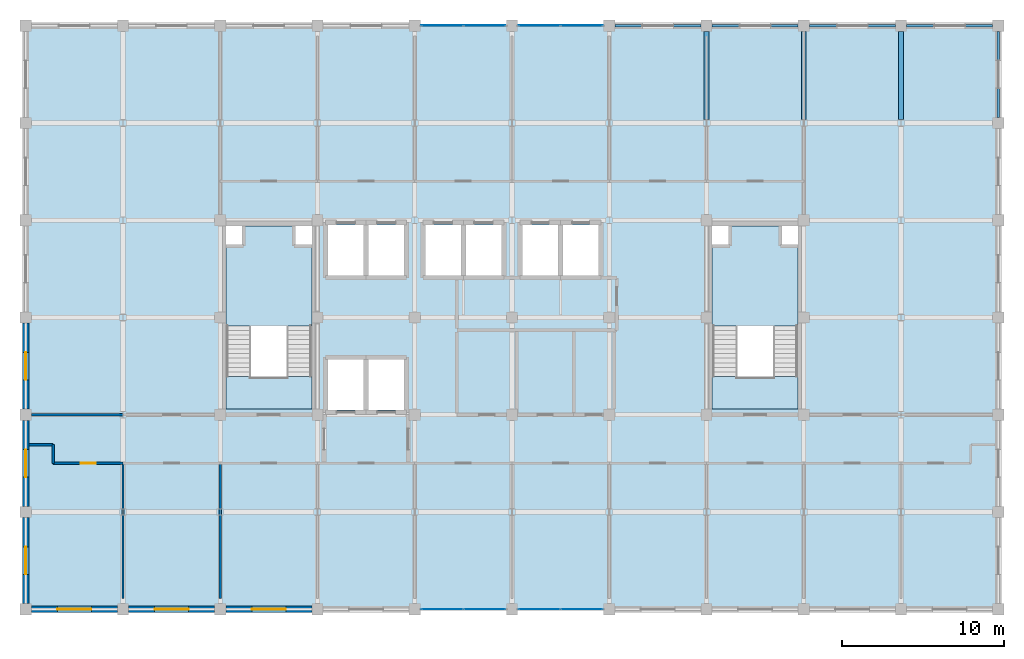
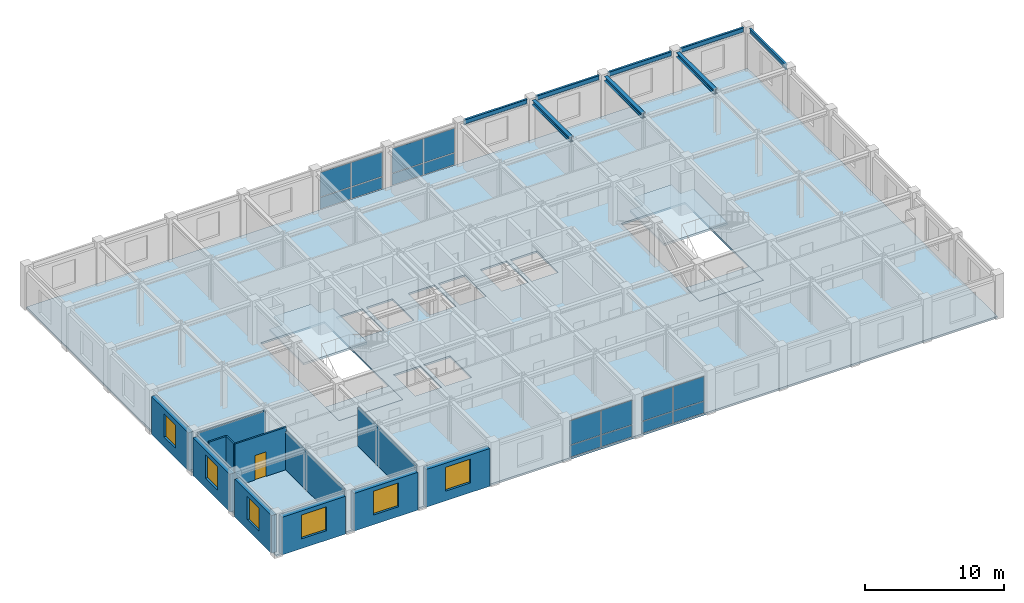
# One storey, part 9 of 14: 16 plates, 12 walls, 8 beams, 6 windows, 5 slabs, 1 door, 7 openings, 6 elements without a shape of their own.
"""IFC4 building model written with IfcOpenShell, lengths in metres."""

from ifc_helpers import new_model, si_unit, direction, frame, frame_2d, origin, origin_2d, place, context, subcontext, project, spatial, polyline, rectangle, i_section, outline, extrude, material, layer, layer_set, material_profile, profile_set, type_object, element, fill, aggregate, save


model = new_model("IFC4")

# Units and contexts
model_context = context("Model", 3, precision=1e-05, world=origin(), true_north=direction((0.0, 1.0)))
body_context = subcontext(model_context, "Body", "Model", "MODEL_VIEW")
ifc_project = project(units=[si_unit("LENGTHUNIT", "METRE"), si_unit("AREAUNIT", "SQUARE_METRE"), si_unit("VOLUMEUNIT", "CUBIC_METRE"), si_unit("PLANEANGLEUNIT", "RADIAN"), si_unit("MASSUNIT", "GRAM", prefix="KILO")], contexts=[model_context])

# Site, building, storey
site_placement = place(None, origin())
site = spatial("IfcSite", under=ifc_project, at=site_placement, CompositionType="ELEMENT")
building_placement = place(site_placement, origin())
building = spatial("IfcBuilding", under=site, at=building_placement, Name="Zlatovratsky Civic Hall", CompositionType="ELEMENT")
storey_placement = place(building_placement, frame((0.0, 0.0, 28.800048828125)))
storey = spatial("IfcBuildingStorey", under=building, at=storey_placement, Name="L07", CompositionType="ELEMENT", Elevation=28.800048828125)

# Beams
ifc_material_1 = material(Name="Steel S355", Category="steel")
ifc_material_profile_1 = material_profile(ifc_material_1, i_section(OverallWidth=0.169921875, OverallDepth=0.446044921875, WebThickness=0.007568359375, FlangeThickness=0.010986328125, FilletRadius=0.01611328125, at=origin_2d()), Name="45B1")
ifc_profile_set_1 = profile_set([ifc_material_profile_1], Name="Steel S355")
beam_type_1 = type_object("IfcBeamType", Name="Beam_Spandrel_45B1", PredefinedType="SPANDREL", material=ifc_profile_set_1)
for number, where, z_axis, x_axis, name in (
    (1, (90.35009765625, 108.0, 3.516845703125), (1.0, 0.0, 0.0), (0.0, 1.0, 0.0), "BM-4309"),
    (2, (96.35009765625, 108.0, 3.516845703125), (1.0, 0.0, 0.0), (0.0, 1.0, 0.0), "BM-4310"),
    (3, (102.35009765625, 108.0, 3.516845703125), (1.0, 0.0, 0.0), (0.0, 1.0, 0.0), "BM-4311"),
    (4, (108.35009765625, 108.0, 3.516845703125), (1.0, 0.0, 0.0), (0.0, 1.0, 0.0), "BM-4312"),
    (5, (114.0, 102.35009765625, 3.516845703125), (0.0, 1.0, 0.0), (-1.0, 0.0, 0.0), "BM-4378"),
):
    element("IfcBeam", number, at=place(storey_placement, frame(where, z_axis=z_axis, x_axis=x_axis)), inside=storey, type_object=beam_type_1, Name=name, PredefinedType="SPANDREL", context=body_context, shape_type="SweptSolid", body=[
        extrude(i_section(OverallWidth=0.169921875, OverallDepth=0.446044921875, WebThickness=0.007568359375, FlangeThickness=0.010986328125, FilletRadius=0.01611328125, at=origin_2d()), origin(), (0.0, 0.0, 1.0), 5.2998046875),
    ])
ifc_material_profile_2 = material_profile(ifc_material_1, i_section(OverallWidth=0.300048828125, OverallDepth=0.387939453125, WebThickness=0.009521484375, FlangeThickness=0.013916015625, FilletRadius=0.02197265625, at=origin_2d()), Name="40Sh1")
ifc_profile_set_2 = profile_set([ifc_material_profile_2], Name="Steel S355")
beam_type_2 = type_object("IfcBeamType", Name="Beam_TowerMid_40Sh1", PredefinedType="BEAM", material=ifc_profile_set_2)
for number, where, z_axis, x_axis, name in (
    (6, (96.0, 102.197021484375, 3.5458984375), (0.0, 1.0, 0.0), (-1.0, 0.0, 0.0), "BM-4360"),
    (7, (102.0, 102.197021484375, 3.5458984375), (0.0, 1.0, 0.0), (-1.0, 0.0, 0.0), "BM-4366"),
    (8, (108.0, 102.197021484375, 3.5458984375), (0.0, 1.0, 0.0), (-1.0, 0.0, 0.0), "BM-4372"),
):
    element("IfcBeam", number, at=place(storey_placement, frame(where, z_axis=z_axis, x_axis=x_axis)), inside=storey, type_object=beam_type_2, Name=name, PredefinedType="BEAM", context=body_context, shape_type="SweptSolid", body=[
        extrude(i_section(OverallWidth=0.300048828125, OverallDepth=0.387939453125, WebThickness=0.009521484375, FlangeThickness=0.013916015625, FilletRadius=0.02197265625, at=origin_2d()), origin(), (0.0, 0.0, 1.0), 5.452880859375),
    ])

# Curtain wall, plates
ifc_material_2 = material(Name="Anodised bronze aluminium", Category="aluminium")
ifc_layer_1 = layer(ifc_material_2, 0.159912109375)
ifc_layer_set_1 = layer_set([ifc_layer_1], Name="Anodised bronze aluminium")
curtain_wall_type = type_object("IfcCurtainWallType", Name="CurtainWall_Bronze_5300x3320_21", PredefinedType="NOTDEFINED", material=ifc_layer_set_1)
curtain_wall_1_placement = place(storey_placement, origin())
curtain_wall_1 = element("IfcCurtainWall", 9, at=curtain_wall_1_placement, inside=storey, type_object=curtain_wall_type, Name="CW-137", PredefinedType="NOTDEFINED")
ifc_material_3 = material(Name="Solar-control triple glazing", Category="glass")
ifc_layer_2 = layer(ifc_material_3, 0.028076171875)
ifc_layer_set_2 = layer_set([ifc_layer_2], Name="Solar-control triple glazing")
plate_type = type_object("IfcPlateType", Name="Panel_TowerTripleGlazing_28", PredefinedType="CURTAIN_PANEL", material=ifc_layer_set_2)
plate_1_placement = place(storey_placement, frame((79.68994140625, 72.0, 0.06005859375), z_axis=(0.0, 0.0, 1.0), x_axis=(1.0, 0.0, 0.0)))
plate_1 = element("IfcPlate", 10, at=plate_1_placement, type_object=plate_type, Name="CW-21 panel 1.1", PredefinedType="CURTAIN_PANEL", context=body_context, shape_type="SweptSolid", body=[
    extrude(rectangle(XDim=2.56005859375, YDim=0.028076171875, at=origin_2d()), origin(), (0.0, 0.0, 1.0), 1.010009765625),
])
plate_2_placement = place(storey_placement, frame((79.68994140625, 72.0, 1.130126953125), z_axis=(0.0, 0.0, 1.0), x_axis=(1.0, 0.0, 0.0)))
plate_2 = element("IfcPlate", 11, at=plate_2_placement, type_object=plate_type, Name="CW-21 panel 1.2", PredefinedType="CURTAIN_PANEL", context=body_context, shape_type="SweptSolid", body=[
    extrude(rectangle(XDim=2.56005859375, YDim=0.028076171875, at=origin_2d()), origin(), (0.0, 0.0, 1.0), 2.1298828125),
])
plate_3_placement = place(storey_placement, frame((82.31005859375, 72.0, 0.06005859375), z_axis=(0.0, 0.0, 1.0), x_axis=(1.0, 0.0, 0.0)))
plate_3 = element("IfcPlate", 12, at=plate_3_placement, type_object=plate_type, Name="CW-21 panel 2.1", PredefinedType="CURTAIN_PANEL", context=body_context, shape_type="SweptSolid", body=[
    extrude(rectangle(XDim=2.56005859375, YDim=0.028076171875, at=origin_2d()), origin(), (0.0, 0.0, 1.0), 1.010009765625),
])
plate_4_placement = place(storey_placement, frame((82.31005859375, 72.0, 1.130126953125), z_axis=(0.0, 0.0, 1.0), x_axis=(1.0, 0.0, 0.0)))
plate_4 = element("IfcPlate", 13, at=plate_4_placement, type_object=plate_type, Name="CW-21 panel 2.2", PredefinedType="CURTAIN_PANEL", context=body_context, shape_type="SweptSolid", body=[
    extrude(rectangle(XDim=2.56005859375, YDim=0.028076171875, at=origin_2d()), origin(), (0.0, 0.0, 1.0), 2.1298828125),
])
aggregate(curtain_wall_1, [plate_1, plate_2, plate_3, plate_4])

curtain_wall_2_placement = place(storey_placement, origin())
curtain_wall_2 = element("IfcCurtainWall", 14, at=curtain_wall_2_placement, inside=storey, type_object=curtain_wall_type, Name="CW-138", PredefinedType="NOTDEFINED")
plate_5_placement = place(storey_placement, frame((85.68994140625, 72.0, 0.06005859375), z_axis=(0.0, 0.0, 1.0), x_axis=(1.0, 0.0, 0.0)))
plate_5 = element("IfcPlate", 15, at=plate_5_placement, type_object=plate_type, Name="CW-21 panel 1.1", PredefinedType="CURTAIN_PANEL", context=body_context, shape_type="SweptSolid", body=[
    extrude(rectangle(XDim=2.56005859375, YDim=0.028076171875, at=origin_2d()), origin(), (0.0, 0.0, 1.0), 1.010009765625),
])
plate_6_placement = place(storey_placement, frame((85.68994140625, 72.0, 1.130126953125), z_axis=(0.0, 0.0, 1.0), x_axis=(1.0, 0.0, 0.0)))
plate_6 = element("IfcPlate", 16, at=plate_6_placement, type_object=plate_type, Name="CW-21 panel 1.2", PredefinedType="CURTAIN_PANEL", context=body_context, shape_type="SweptSolid", body=[
    extrude(rectangle(XDim=2.56005859375, YDim=0.028076171875, at=origin_2d()), origin(), (0.0, 0.0, 1.0), 2.1298828125),
])
plate_7_placement = place(storey_placement, frame((88.31005859375, 72.0, 0.06005859375), z_axis=(0.0, 0.0, 1.0), x_axis=(1.0, 0.0, 0.0)))
plate_7 = element("IfcPlate", 17, at=plate_7_placement, type_object=plate_type, Name="CW-21 panel 2.1", PredefinedType="CURTAIN_PANEL", context=body_context, shape_type="SweptSolid", body=[
    extrude(rectangle(XDim=2.56005859375, YDim=0.028076171875, at=origin_2d()), origin(), (0.0, 0.0, 1.0), 1.010009765625),
])
plate_8_placement = place(storey_placement, frame((88.31005859375, 72.0, 1.130126953125), z_axis=(0.0, 0.0, 1.0), x_axis=(1.0, 0.0, 0.0)))
plate_8 = element("IfcPlate", 18, at=plate_8_placement, type_object=plate_type, Name="CW-21 panel 2.2", PredefinedType="CURTAIN_PANEL", context=body_context, shape_type="SweptSolid", body=[
    extrude(rectangle(XDim=2.56005859375, YDim=0.028076171875, at=origin_2d()), origin(), (0.0, 0.0, 1.0), 2.1298828125),
])
aggregate(curtain_wall_2, [plate_5, plate_6, plate_7, plate_8])

curtain_wall_3_placement = place(storey_placement, origin())
curtain_wall_3 = element("IfcCurtainWall", 19, at=curtain_wall_3_placement, inside=storey, type_object=curtain_wall_type, Name="CW-139", PredefinedType="NOTDEFINED")
plate_9_placement = place(storey_placement, frame((79.68994140625, 108.0, 0.06005859375), z_axis=(0.0, 0.0, 1.0), x_axis=(1.0, 0.0, 0.0)))
plate_9 = element("IfcPlate", 20, at=plate_9_placement, type_object=plate_type, Name="CW-21 panel 1.1", PredefinedType="CURTAIN_PANEL", context=body_context, shape_type="SweptSolid", body=[
    extrude(rectangle(XDim=2.56005859375, YDim=0.028076171875, at=origin_2d()), origin(), (0.0, 0.0, 1.0), 1.010009765625),
])
plate_10_placement = place(storey_placement, frame((79.68994140625, 108.0, 1.130126953125), z_axis=(0.0, 0.0, 1.0), x_axis=(1.0, 0.0, 0.0)))
plate_10 = element("IfcPlate", 21, at=plate_10_placement, type_object=plate_type, Name="CW-21 panel 1.2", PredefinedType="CURTAIN_PANEL", context=body_context, shape_type="SweptSolid", body=[
    extrude(rectangle(XDim=2.56005859375, YDim=0.028076171875, at=origin_2d()), origin(), (0.0, 0.0, 1.0), 2.1298828125),
])
plate_11_placement = place(storey_placement, frame((82.31005859375, 108.0, 0.06005859375), z_axis=(0.0, 0.0, 1.0), x_axis=(1.0, 0.0, 0.0)))
plate_11 = element("IfcPlate", 22, at=plate_11_placement, type_object=plate_type, Name="CW-21 panel 2.1", PredefinedType="CURTAIN_PANEL", context=body_context, shape_type="SweptSolid", body=[
    extrude(rectangle(XDim=2.56005859375, YDim=0.028076171875, at=origin_2d()), origin(), (0.0, 0.0, 1.0), 1.010009765625),
])
plate_12_placement = place(storey_placement, frame((82.31005859375, 108.0, 1.130126953125), z_axis=(0.0, 0.0, 1.0), x_axis=(1.0, 0.0, 0.0)))
plate_12 = element("IfcPlate", 23, at=plate_12_placement, type_object=plate_type, Name="CW-21 panel 2.2", PredefinedType="CURTAIN_PANEL", context=body_context, shape_type="SweptSolid", body=[
    extrude(rectangle(XDim=2.56005859375, YDim=0.028076171875, at=origin_2d()), origin(), (0.0, 0.0, 1.0), 2.1298828125),
])
aggregate(curtain_wall_3, [plate_9, plate_10, plate_11, plate_12])

curtain_wall_4_placement = place(storey_placement, origin())
curtain_wall_4 = element("IfcCurtainWall", 24, at=curtain_wall_4_placement, inside=storey, type_object=curtain_wall_type, Name="CW-140", PredefinedType="NOTDEFINED")
plate_13_placement = place(storey_placement, frame((85.68994140625, 108.0, 0.06005859375), z_axis=(0.0, 0.0, 1.0), x_axis=(1.0, 0.0, 0.0)))
plate_13 = element("IfcPlate", 25, at=plate_13_placement, type_object=plate_type, Name="CW-21 panel 1.1", PredefinedType="CURTAIN_PANEL", context=body_context, shape_type="SweptSolid", body=[
    extrude(rectangle(XDim=2.56005859375, YDim=0.028076171875, at=origin_2d()), origin(), (0.0, 0.0, 1.0), 1.010009765625),
])
plate_14_placement = place(storey_placement, frame((85.68994140625, 108.0, 1.130126953125), z_axis=(0.0, 0.0, 1.0), x_axis=(1.0, 0.0, 0.0)))
plate_14 = element("IfcPlate", 26, at=plate_14_placement, type_object=plate_type, Name="CW-21 panel 1.2", PredefinedType="CURTAIN_PANEL", context=body_context, shape_type="SweptSolid", body=[
    extrude(rectangle(XDim=2.56005859375, YDim=0.028076171875, at=origin_2d()), origin(), (0.0, 0.0, 1.0), 2.1298828125),
])
plate_15_placement = place(storey_placement, frame((88.31005859375, 108.0, 0.06005859375), z_axis=(0.0, 0.0, 1.0), x_axis=(1.0, 0.0, 0.0)))
plate_15 = element("IfcPlate", 27, at=plate_15_placement, type_object=plate_type, Name="CW-21 panel 2.1", PredefinedType="CURTAIN_PANEL", context=body_context, shape_type="SweptSolid", body=[
    extrude(rectangle(XDim=2.56005859375, YDim=0.028076171875, at=origin_2d()), origin(), (0.0, 0.0, 1.0), 1.010009765625),
])
plate_16_placement = place(storey_placement, frame((88.31005859375, 108.0, 1.130126953125), z_axis=(0.0, 0.0, 1.0), x_axis=(1.0, 0.0, 0.0)))
plate_16 = element("IfcPlate", 28, at=plate_16_placement, type_object=plate_type, Name="CW-21 panel 2.2", PredefinedType="CURTAIN_PANEL", context=body_context, shape_type="SweptSolid", body=[
    extrude(rectangle(XDim=2.56005859375, YDim=0.028076171875, at=origin_2d()), origin(), (0.0, 0.0, 1.0), 2.1298828125),
])
aggregate(curtain_wall_4, [plate_13, plate_14, plate_15, plate_16])

# Slabs
ifc_material_4 = material(Name="Concrete C30/37 (B35)", Category="concrete")
ifc_layer_3 = layer(ifc_material_4, 0.239990234375)
ifc_layer_set_3 = layer_set([ifc_layer_3], Name="Concrete C30/37 (B35)")
slab_type_1 = type_object("IfcSlabType", Name="Slab_CivicPodiumFloor_240", PredefinedType="FLOOR", material=ifc_layer_set_3)
slab_1_placement = place(storey_placement, frame((0.0, 0.0, -0.239990234375)))
element("IfcSlab", 29, at=slab_1_placement, inside=storey, type_object=slab_type_1, Name="SL-054", PredefinedType="FLOOR", context=body_context, shape_type="SweptSolid", body=[
    extrude(outline(polyline([(66.35009765625, 84.35009765625), (71.64990234375, 84.35009765625), (71.64990234375, 86.35009765625), (66.35009765625, 86.35009765625), (66.35009765625, 84.35009765625)])), origin(), (0.0, 0.0, 1.0), 0.239990234375),
])
slab_2_placement = place(storey_placement, frame((0.0, 0.0, -0.239990234375)))
element("IfcSlab", 30, at=slab_2_placement, inside=storey, type_object=slab_type_1, Name="SL-055", PredefinedType="FLOOR", context=body_context, shape_type="SweptSolid", body=[
    extrude(outline(polyline([(96.35009765625, 84.35009765625), (101.64990234375, 84.35009765625), (101.64990234375, 86.35009765625), (96.35009765625, 86.35009765625), (96.35009765625, 84.35009765625)])), origin(), (0.0, 0.0, 1.0), 0.239990234375),
])

# Stair, slab
stair_type = type_object("IfcStairType", Name="Stair_HALF_24R_1550W_04", PredefinedType="HALF_TURN_STAIR", material=ifc_material_4)
stair_1_placement = place(storey_placement, origin())
stair_1 = element("IfcStair", 31, at=stair_1_placement, inside=storey, type_object=stair_type, Name="ST-008", PredefinedType="HALF_TURN_STAIR")
ifc_layer_4 = layer(ifc_material_4, 0.179931640625)
ifc_layer_set_4 = layer_set([ifc_layer_4], Name="Concrete C30/37 (B35)")
slab_type_2 = type_object("IfcSlabType", Name="Slab_StairLanding_180", PredefinedType="LANDING", material=ifc_layer_set_4)
slab_3_placement = place(storey_placement, frame((0.0, 0.0, 1.77001953125)))
slab_3 = element("IfcSlab", 32, at=slab_3_placement, type_object=slab_type_2, Name="SL-LD-08", PredefinedType="LANDING", context=body_context, shape_type="SweptSolid", body=[
    extrude(outline(polyline([(66.35009765625, 89.485107421875), (71.64990234375, 89.485107421875), (71.64990234375, 94.39990234375), (70.550048828125, 94.39990234375), (70.550048828125, 95.64990234375), (67.449951171875, 95.64990234375), (67.449951171875, 94.39990234375), (66.35009765625, 94.39990234375), (66.35009765625, 89.485107421875)])), origin(), (0.0, 0.0, 1.0), 0.179931640625),
])
aggregate(stair_1, [slab_3])

stair_2_placement = place(storey_placement, origin())
stair_2 = element("IfcStair", 33, at=stair_2_placement, inside=storey, type_object=stair_type, Name="ST-027", PredefinedType="HALF_TURN_STAIR")
slab_4_placement = place(storey_placement, frame((0.0, 0.0, 1.77001953125)))
slab_4 = element("IfcSlab", 34, at=slab_4_placement, type_object=slab_type_2, Name="SL-LD-27", PredefinedType="LANDING", context=body_context, shape_type="SweptSolid", body=[
    extrude(outline(polyline([(96.35009765625, 89.485107421875), (101.64990234375, 89.485107421875), (101.64990234375, 94.39990234375), (100.550048828125, 94.39990234375), (100.550048828125, 95.64990234375), (97.449951171875, 95.64990234375), (97.449951171875, 94.39990234375), (96.35009765625, 94.39990234375), (96.35009765625, 89.485107421875)])), origin(), (0.0, 0.0, 1.0), 0.179931640625),
])
aggregate(stair_2, [slab_4])

# Slab
ifc_layer_5 = layer(ifc_material_4, 0.159912109375)
ifc_layer_set_5 = layer_set([ifc_layer_5], Name="Concrete C30/37 (B35)")
slab_type_3 = type_object("IfcSlabType", Name="Slab_TowerCompositeFloor_160", PredefinedType="FLOOR", material=ifc_layer_set_5)
slab_5_placement = place(storey_placement, frame((0.0, 0.0, -0.16015625)))
element("IfcSlab", 35, at=slab_5_placement, inside=storey, type_object=slab_type_3, Name="SL-053", PredefinedType="FLOOR", context=body_context, shape_type="SweptSolid", body=[
    extrude(outline(polyline([(54.0, 72.0), (114.0, 72.0), (114.0, 108.0), (54.0, 108.0), (54.0, 72.0)]), holes=[polyline([(66.35009765625, 84.35009765625), (71.64990234375, 84.35009765625), (71.64990234375, 95.64990234375), (66.35009765625, 95.64990234375), (66.35009765625, 84.35009765625)]), polyline([(96.35009765625, 84.35009765625), (101.64990234375, 84.35009765625), (101.64990234375, 95.64990234375), (96.35009765625, 95.64990234375), (96.35009765625, 84.35009765625)]), polyline([(72.64990234375, 84.300048828125), (74.85009765625, 84.300048828125), (74.85009765625, 87.39990234375), (72.64990234375, 87.39990234375), (72.64990234375, 84.300048828125)]), polyline([(75.14990234375, 84.300048828125), (77.35009765625, 84.300048828125), (77.35009765625, 87.39990234375), (75.14990234375, 87.39990234375), (75.14990234375, 84.300048828125)]), polyline([(72.64990234375, 92.60009765625), (74.85009765625, 92.60009765625), (74.85009765625, 95.699951171875), (72.64990234375, 95.699951171875), (72.64990234375, 92.60009765625)]), polyline([(75.14990234375, 92.60009765625), (77.35009765625, 92.60009765625), (77.35009765625, 95.699951171875), (75.14990234375, 95.699951171875), (75.14990234375, 92.60009765625)]), polyline([(78.64990234375, 92.60009765625), (80.85009765625, 92.60009765625), (80.85009765625, 95.699951171875), (78.64990234375, 95.699951171875), (78.64990234375, 92.60009765625)]), polyline([(81.14990234375, 92.60009765625), (83.35009765625, 92.60009765625), (83.35009765625, 95.699951171875), (81.14990234375, 95.699951171875), (81.14990234375, 92.60009765625)]), polyline([(84.64990234375, 92.60009765625), (86.85009765625, 92.60009765625), (86.85009765625, 95.699951171875), (84.64990234375, 95.699951171875), (84.64990234375, 92.60009765625)]), polyline([(87.14990234375, 92.60009765625), (89.35009765625, 92.60009765625), (89.35009765625, 95.699951171875), (87.14990234375, 95.699951171875), (87.14990234375, 92.60009765625)])]), origin(), (0.0, 0.0, 1.0), 0.16015625),
])

# Wall, opening, door
ifc_material_5 = material(Name="Fire-rated gypsum board framing", Category="gypsum")
ifc_layer_6 = layer(ifc_material_5, 0.139892578125)
ifc_layer_set_6 = layer_set([ifc_layer_6], Name="Fire-rated gypsum board framing")
wall_type_1 = type_object("IfcWallType", Name="Wall_OfficePartition_140", PredefinedType="PARTITIONING", material=ifc_layer_set_6)
wall_1_placement = place(storey_placement, frame((55.699951171875, 81.0, 0.0), z_axis=(0.0, 0.0, 1.0), x_axis=(1.0, 0.0, 0.0)))
wall_1 = element("IfcWall", 36, at=wall_1_placement, inside=storey, type_object=wall_type_1, Name="WL-6356", PredefinedType="PARTITIONING", context=body_context, shape_type="SweptSolid", body=[
    extrude(rectangle(XDim=4.300048828125, YDim=0.139892578125, at=frame_2d((2.14990234375, 0.0))), origin(), (0.0, 0.0, 1.0), 3.739990234375),
])
opening_1_placement = place(wall_1_placement, frame((1.68994140625, 0.0, 0.0)))
opening_1 = element("IfcOpeningElement", 37, at=opening_1_placement, cuts=wall_1, Name="Opening D-23", PredefinedType="OPENING", context=body_context, shape_type="SweptSolid", body=[
    extrude(rectangle(XDim=0.919921875, YDim=2.14990234375, at=frame_2d((0.4599609375, 1.074951171875))), frame((0.0, 0.0849609375, 0.0), z_axis=(0.0, -1.0, 0.0), x_axis=(1.0, 0.0, 0.0)), (0.0, 0.0, 1.0), 0.169677734375),
])
ifc_material_6 = material(Name="Solid oak joinery in steel frame", Category="steel")
door_type = type_object("IfcDoorType", Name="Door_OfficeStandard_920x2150", OperationType="NOTDEFINED", PredefinedType="DOOR", material=ifc_material_6)
door_placement = place(opening_1_placement, origin())
door = element("IfcDoor", 38, at=door_placement, inside=storey, type_object=door_type, Name="DR-5383", OperationType="SINGLE_SWING_LEFT", OverallHeight=2.14990234375, OverallWidth=0.919921875, PredefinedType="DOOR", context=body_context, shape_type="SweptSolid", body=[
    extrude(rectangle(XDim=0.919921875, YDim=2.14990234375, at=frame_2d((0.4599609375, 1.074951171875))), frame((0.0, 0.02490234375, 0.0), z_axis=(0.0, -1.0, 0.0), x_axis=(1.0, 0.0, 0.0)), (0.0, 0.0, 1.0), 0.050048828125),
])
fill(opening_1, door)

# Walls
for number, where, z_axis, x_axis, name in (
    (39, (60.0, 72.64990234375, 0.0), (0.0, 0.0, 1.0), (0.0, 1.0, 0.0), "WL-6374"),
    (40, (66.0, 72.64990234375, 0.0), (0.0, 0.0, 1.0), (0.0, 1.0, 0.0), "WL-6375"),
):
    element("IfcWall", number, at=place(storey_placement, frame(where, z_axis=z_axis, x_axis=x_axis)), inside=storey, type_object=wall_type_1, Name=name, PredefinedType="PARTITIONING", context=body_context, shape_type="SweptSolid", body=[
        extrude(rectangle(XDim=8.35009765625, YDim=0.139892578125, at=frame_2d((4.175048828125, 0.0))), origin(), (0.0, 0.0, 1.0), 3.35205078125),
    ])
wall_2_placement = place(storey_placement, frame((55.699951171875, 81.0, 0.0), z_axis=(0.0, 0.0, 1.0), x_axis=(0.0, 1.0, 0.0)))
element("IfcWall", 41, at=wall_2_placement, inside=storey, type_object=wall_type_1, Name="WL-6393", PredefinedType="PARTITIONING", context=body_context, shape_type="SweptSolid", body=[
    extrude(rectangle(XDim=1.14990234375, YDim=0.139892578125, at=frame_2d((0.574951171875, 0.0))), origin(), (0.0, 0.0, 1.0), 3.739990234375),
])
wall_3_placement = place(storey_placement, frame((55.699951171875, 82.14990234375, 0.0), z_axis=(0.0, 0.0, 1.0), x_axis=(-1.0, 0.0, 0.0)))
element("IfcWall", 42, at=wall_3_placement, inside=storey, type_object=wall_type_1, Name="WL-6394", PredefinedType="PARTITIONING", context=body_context, shape_type="SweptSolid", body=[
    extrude(rectangle(XDim=1.489990234375, YDim=0.139892578125, at=frame_2d((0.7451171875, 0.0))), origin(), (0.0, 0.0, 1.0), 3.739990234375),
])
wall_4_placement = place(storey_placement, frame((54.35009765625, 84.0, 0.0), z_axis=(0.0, 0.0, 1.0), x_axis=(1.0, 0.0, 0.0)))
element("IfcWall", 43, at=wall_4_placement, inside=storey, type_object=wall_type_1, Name="WL-6399", PredefinedType="PARTITIONING", context=body_context, shape_type="SweptSolid", body=[
    extrude(rectangle(XDim=5.64990234375, YDim=0.139892578125, at=frame_2d((2.824951171875, 0.0))), origin(), (0.0, 0.0, 1.0), 3.35205078125),
])

# Wall, opening, window
ifc_material_7 = material(Name="Acoustic ceramic blockwork", Category="masonry")
ifc_layer_7 = layer(ifc_material_7, 0.280029296875, Name="Backing")
ifc_material_8 = material(Name="Podolsk limestone ashlar", Category="masonry")
ifc_layer_8 = layer(ifc_material_8, 0.139892578125, Name="Finish")
ifc_layer_set_7 = layer_set([ifc_layer_7, ifc_layer_8], Name="Acoustic ceramic blockwork")
wall_type_2 = type_object("IfcWallType", Name="Wall_TowerLimestoneAshlar_420", PredefinedType="SOLIDWALL", material=ifc_layer_set_7)
wall_5_placement = place(storey_placement, frame((54.35009765625, 72.0, 0.0), z_axis=(0.0, 0.0, 1.0), x_axis=(1.0, 0.0, 0.0)))
wall_5 = element("IfcWall", 44, at=wall_5_placement, inside=storey, type_object=wall_type_2, Name="WL-0445", PredefinedType="SOLIDWALL", context=body_context, shape_type="SweptSolid", body=[
    extrude(rectangle(XDim=5.2998046875, YDim=0.419921875, at=frame_2d((2.64990234375, 0.0))), origin(), (0.0, 0.0, 1.0), 3.320068359375),
])
opening_2_placement = place(wall_5_placement, frame((1.60009765625, 0.0, 0.85009765625)))
opening_2 = element("IfcOpeningElement", 45, at=opening_2_placement, cuts=wall_5, Name="Opening WN-14", PredefinedType="OPENING", context=body_context, shape_type="SweptSolid", body=[
    extrude(rectangle(XDim=2.10009765625, YDim=2.10009765625, at=frame_2d((1.050048828125, 1.050048828125))), frame((0.0, 0.224853515625, 0.0), z_axis=(0.0, -1.0, 0.0), x_axis=(1.0, 0.0, 0.0)), (0.0, 0.0, 1.0), 0.44970703125),
])
ifc_material_9 = material(Name="Low-E laminated double glazing", Category="glass")
window_type_1 = type_object("IfcWindowType", Name="Window_TowerTier1South_2100x2100", PartitioningType="SINGLE_PANEL", PredefinedType="WINDOW", material=ifc_material_9)
window_1_placement = place(opening_2_placement, origin())
window_1 = element("IfcWindow", 46, at=window_1_placement, inside=storey, type_object=window_type_1, Name="WN-0349", OverallHeight=2.10009765625, OverallWidth=2.10009765625, PartitioningType="SINGLE_PANEL", PredefinedType="WINDOW", context=body_context, shape_type="SweptSolid", body=[
    extrude(rectangle(XDim=2.10009765625, YDim=2.10009765625, at=frame_2d((1.050048828125, 1.050048828125))), frame((0.0, 0.030029296875, 0.0), z_axis=(0.0, -1.0, 0.0), x_axis=(1.0, 0.0, 0.0)), (0.0, 0.0, 1.0), 0.06005859375),
])
fill(opening_2, window_1)

wall_6_placement = place(storey_placement, frame((60.35009765625, 72.0, 0.0), z_axis=(0.0, 0.0, 1.0), x_axis=(1.0, 0.0, 0.0)))
wall_6 = element("IfcWall", 47, at=wall_6_placement, inside=storey, type_object=wall_type_2, Name="WL-0446", PredefinedType="SOLIDWALL", context=body_context, shape_type="SweptSolid", body=[
    extrude(rectangle(XDim=5.2998046875, YDim=0.419921875, at=frame_2d((2.64990234375, 0.0))), origin(), (0.0, 0.0, 1.0), 3.320068359375),
])
opening_3_placement = place(wall_6_placement, frame((1.60009765625, 0.0, 0.85009765625)))
opening_3 = element("IfcOpeningElement", 48, at=opening_3_placement, cuts=wall_6, Name="Opening WN-14", PredefinedType="OPENING", context=body_context, shape_type="SweptSolid", body=[
    extrude(rectangle(XDim=2.10009765625, YDim=2.10009765625, at=frame_2d((1.050048828125, 1.050048828125))), frame((0.0, 0.224853515625, 0.0), z_axis=(0.0, -1.0, 0.0), x_axis=(1.0, 0.0, 0.0)), (0.0, 0.0, 1.0), 0.44970703125),
])
window_2_placement = place(opening_3_placement, origin())
window_2 = element("IfcWindow", 49, at=window_2_placement, inside=storey, type_object=window_type_1, Name="WN-0350", OverallHeight=2.10009765625, OverallWidth=2.10009765625, PartitioningType="SINGLE_PANEL", PredefinedType="WINDOW", context=body_context, shape_type="SweptSolid", body=[
    extrude(rectangle(XDim=2.10009765625, YDim=2.10009765625, at=frame_2d((1.050048828125, 1.050048828125))), frame((0.0, 0.030029296875, 0.0), z_axis=(0.0, -1.0, 0.0), x_axis=(1.0, 0.0, 0.0)), (0.0, 0.0, 1.0), 0.06005859375),
])
fill(opening_3, window_2)

wall_7_placement = place(storey_placement, frame((66.35009765625, 72.0, 0.0), z_axis=(0.0, 0.0, 1.0), x_axis=(1.0, 0.0, 0.0)))
wall_7 = element("IfcWall", 50, at=wall_7_placement, inside=storey, type_object=wall_type_2, Name="WL-0447", PredefinedType="SOLIDWALL", context=body_context, shape_type="SweptSolid", body=[
    extrude(rectangle(XDim=5.2998046875, YDim=0.419921875, at=frame_2d((2.64990234375, 0.0))), origin(), (0.0, 0.0, 1.0), 3.320068359375),
])
opening_4_placement = place(wall_7_placement, frame((1.60009765625, 0.0, 0.85009765625)))
opening_4 = element("IfcOpeningElement", 51, at=opening_4_placement, cuts=wall_7, Name="Opening WN-14", PredefinedType="OPENING", context=body_context, shape_type="SweptSolid", body=[
    extrude(rectangle(XDim=2.10009765625, YDim=2.10009765625, at=frame_2d((1.050048828125, 1.050048828125))), frame((0.0, 0.224853515625, 0.0), z_axis=(0.0, -1.0, 0.0), x_axis=(1.0, 0.0, 0.0)), (0.0, 0.0, 1.0), 0.44970703125),
])
window_3_placement = place(opening_4_placement, origin())
window_3 = element("IfcWindow", 52, at=window_3_placement, inside=storey, type_object=window_type_1, Name="WN-0351", OverallHeight=2.10009765625, OverallWidth=2.10009765625, PartitioningType="SINGLE_PANEL", PredefinedType="WINDOW", context=body_context, shape_type="SweptSolid", body=[
    extrude(rectangle(XDim=2.10009765625, YDim=2.10009765625, at=frame_2d((1.050048828125, 1.050048828125))), frame((0.0, 0.030029296875, 0.0), z_axis=(0.0, -1.0, 0.0), x_axis=(1.0, 0.0, 0.0)), (0.0, 0.0, 1.0), 0.06005859375),
])
fill(opening_4, window_3)

wall_8_placement = place(storey_placement, frame((54.0, 72.35009765625, 0.0), z_axis=(0.0, 0.0, 1.0), x_axis=(0.0, 1.0, 0.0)))
wall_8 = element("IfcWall", 53, at=wall_8_placement, inside=storey, type_object=wall_type_2, Name="WL-0461", PredefinedType="SOLIDWALL", context=body_context, shape_type="SweptSolid", body=[
    extrude(rectangle(XDim=5.2998046875, YDim=0.419921875, at=frame_2d((2.64990234375, 0.0))), origin(), (0.0, 0.0, 1.0), 3.320068359375),
])
opening_5_placement = place(wall_8_placement, frame((1.800048828125, 0.0, 0.85009765625)))
opening_5 = element("IfcOpeningElement", 54, at=opening_5_placement, cuts=wall_8, Name="Opening WN-16", PredefinedType="OPENING", context=body_context, shape_type="SweptSolid", body=[
    extrude(rectangle(XDim=1.699951171875, YDim=2.050048828125, at=frame_2d((0.85009765625, 1.02490234375))), frame((0.0, 0.224853515625, 0.0), z_axis=(0.0, -1.0, 0.0), x_axis=(1.0, 0.0, 0.0)), (0.0, 0.0, 1.0), 0.44970703125),
])
window_type_2 = type_object("IfcWindowType", Name="Window_TowerTier1Flank_1700x2050", PartitioningType="SINGLE_PANEL", PredefinedType="WINDOW", material=ifc_material_9)
window_4_placement = place(opening_5_placement, origin())
window_4 = element("IfcWindow", 55, at=window_4_placement, inside=storey, type_object=window_type_2, Name="WN-0365", OverallHeight=2.050048828125, OverallWidth=1.699951171875, PartitioningType="SINGLE_PANEL", PredefinedType="WINDOW", context=body_context, shape_type="SweptSolid", body=[
    extrude(rectangle(XDim=1.699951171875, YDim=2.050048828125, at=frame_2d((0.85009765625, 1.02490234375))), frame((0.0, 0.030029296875, 0.0), z_axis=(0.0, -1.0, 0.0), x_axis=(1.0, 0.0, 0.0)), (0.0, 0.0, 1.0), 0.06005859375),
])
fill(opening_5, window_4)

wall_9_placement = place(storey_placement, frame((54.0, 78.35009765625, 0.0), z_axis=(0.0, 0.0, 1.0), x_axis=(0.0, 1.0, 0.0)))
wall_9 = element("IfcWall", 56, at=wall_9_placement, inside=storey, type_object=wall_type_2, Name="WL-0462", PredefinedType="SOLIDWALL", context=body_context, shape_type="SweptSolid", body=[
    extrude(rectangle(XDim=5.2998046875, YDim=0.419921875, at=frame_2d((2.64990234375, 0.0))), origin(), (0.0, 0.0, 1.0), 3.320068359375),
])
opening_6_placement = place(wall_9_placement, frame((1.800048828125, 0.0, 0.85009765625)))
opening_6 = element("IfcOpeningElement", 57, at=opening_6_placement, cuts=wall_9, Name="Opening WN-16", PredefinedType="OPENING", context=body_context, shape_type="SweptSolid", body=[
    extrude(rectangle(XDim=1.699951171875, YDim=2.050048828125, at=frame_2d((0.85009765625, 1.02490234375))), frame((0.0, 0.224853515625, 0.0), z_axis=(0.0, -1.0, 0.0), x_axis=(1.0, 0.0, 0.0)), (0.0, 0.0, 1.0), 0.44970703125),
])
window_5_placement = place(opening_6_placement, origin())
window_5 = element("IfcWindow", 58, at=window_5_placement, inside=storey, type_object=window_type_2, Name="WN-0366", OverallHeight=2.050048828125, OverallWidth=1.699951171875, PartitioningType="SINGLE_PANEL", PredefinedType="WINDOW", context=body_context, shape_type="SweptSolid", body=[
    extrude(rectangle(XDim=1.699951171875, YDim=2.050048828125, at=frame_2d((0.85009765625, 1.02490234375))), frame((0.0, 0.030029296875, 0.0), z_axis=(0.0, -1.0, 0.0), x_axis=(1.0, 0.0, 0.0)), (0.0, 0.0, 1.0), 0.06005859375),
])
fill(opening_6, window_5)

wall_10_placement = place(storey_placement, frame((54.0, 84.35009765625, 0.0), z_axis=(0.0, 0.0, 1.0), x_axis=(0.0, 1.0, 0.0)))
wall_10 = element("IfcWall", 59, at=wall_10_placement, inside=storey, type_object=wall_type_2, Name="WL-0463", PredefinedType="SOLIDWALL", context=body_context, shape_type="SweptSolid", body=[
    extrude(rectangle(XDim=5.2998046875, YDim=0.419921875, at=frame_2d((2.64990234375, 0.0))), origin(), (0.0, 0.0, 1.0), 3.320068359375),
])
opening_7_placement = place(wall_10_placement, frame((1.800048828125, 0.0, 0.85009765625)))
opening_7 = element("IfcOpeningElement", 60, at=opening_7_placement, cuts=wall_10, Name="Opening WN-16", PredefinedType="OPENING", context=body_context, shape_type="SweptSolid", body=[
    extrude(rectangle(XDim=1.699951171875, YDim=2.050048828125, at=frame_2d((0.85009765625, 1.02490234375))), frame((0.0, 0.224853515625, 0.0), z_axis=(0.0, -1.0, 0.0), x_axis=(1.0, 0.0, 0.0)), (0.0, 0.0, 1.0), 0.44970703125),
])
window_6_placement = place(opening_7_placement, origin())
window_6 = element("IfcWindow", 61, at=window_6_placement, inside=storey, type_object=window_type_2, Name="WN-0367", OverallHeight=2.050048828125, OverallWidth=1.699951171875, PartitioningType="SINGLE_PANEL", PredefinedType="WINDOW", context=body_context, shape_type="SweptSolid", body=[
    extrude(rectangle(XDim=1.699951171875, YDim=2.050048828125, at=frame_2d((0.85009765625, 1.02490234375))), frame((0.0, 0.030029296875, 0.0), z_axis=(0.0, -1.0, 0.0), x_axis=(1.0, 0.0, 0.0)), (0.0, 0.0, 1.0), 0.06005859375),
])
fill(opening_7, window_6)

save(model, "model.ifc")
